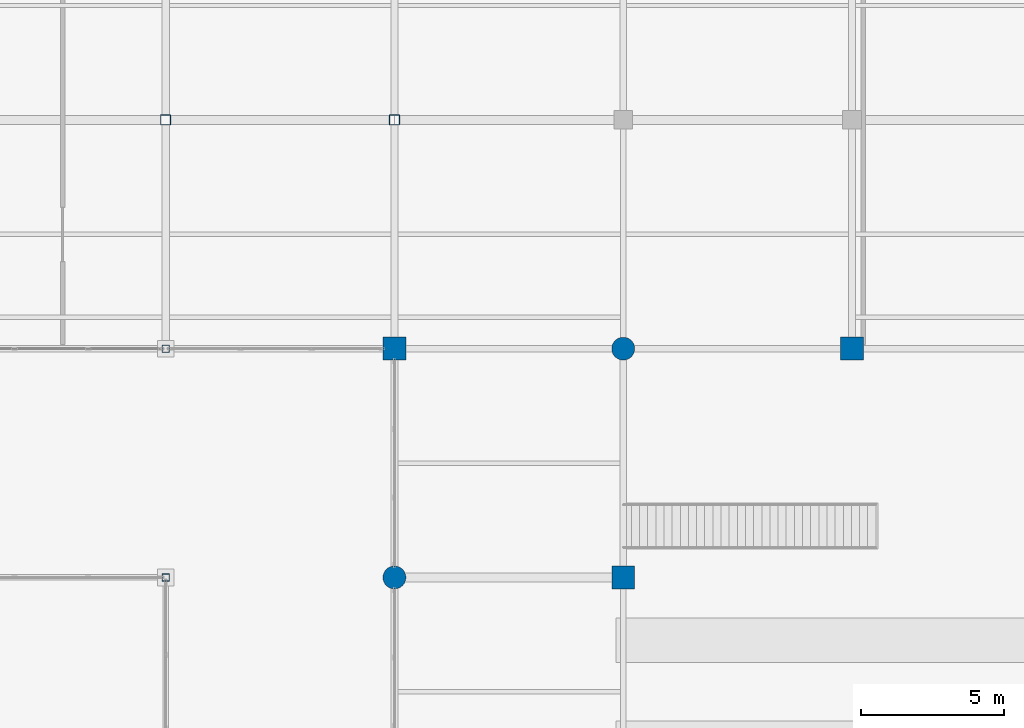
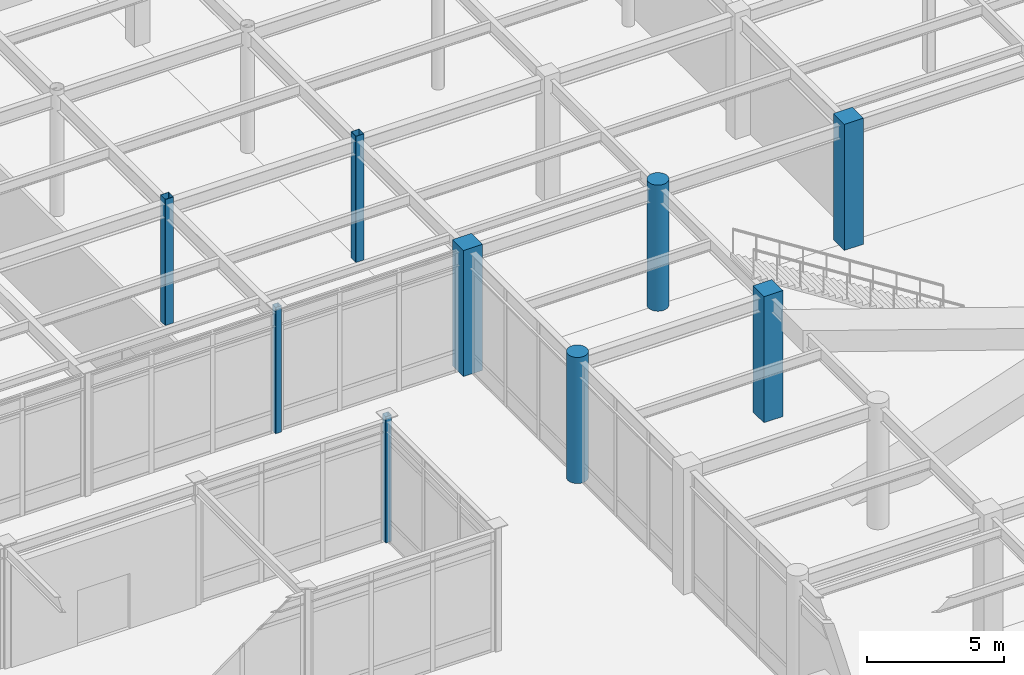
# One storey, part 17 of 128: 9 columns.
"""IFC4 building model written with IfcOpenShell, lengths in metres."""

from ifc_helpers import new_model, si_unit, direction, frame, origin, origin_2d, place, context, subcontext, project, spatial, rectangle, hollow_rectangle, circle, extrude, material, material_profile, profile_set, type_object, element, save


model = new_model("IFC4")

# Units and contexts
model_context = context("Model", 3, precision=1e-05, world=origin(), true_north=direction((0.0, 1.0)))
body_context = subcontext(model_context, "Body", "Model", "MODEL_VIEW")
ifc_project = project(units=[si_unit("LENGTHUNIT", "METRE"), si_unit("AREAUNIT", "SQUARE_METRE"), si_unit("VOLUMEUNIT", "CUBIC_METRE"), si_unit("PLANEANGLEUNIT", "RADIAN"), si_unit("MASSUNIT", "GRAM", prefix="KILO")], contexts=[model_context])

# Site, building, storey
site_placement = place(None, origin())
site = spatial("IfcSite", under=ifc_project, at=site_placement, CompositionType="ELEMENT")
building_placement = place(site_placement, origin())
building = spatial("IfcBuilding", under=site, at=building_placement, Name="Solmirada Galleria", CompositionType="ELEMENT")
storey_placement = place(building_placement, origin())
storey = spatial("IfcBuildingStorey", under=building, at=storey_placement, Name="L00", CompositionType="ELEMENT", Elevation=0.0)

# Columns
ifc_material_1 = material(Name="Concrete C40/50", Category="concrete")
ifc_material_profile_1 = material_profile(ifc_material_1, circle(Radius=0.39990234375, at=origin_2d()), Name="RCCOL800")
ifc_profile_set_1 = profile_set([ifc_material_profile_1], Name="Concrete C40/50")
column_type_1 = type_object("IfcColumnType", Name="COL-CIR800", PredefinedType="COLUMN", material=ifc_profile_set_1)
for number, where, z_axis, x_axis, name in (
    (1, (80.0, 64.0, 0.0), (0.0, 0.0, 1.0), (1.0, 0.0, 0.0), "Structural column L00-0406"),
    (2, (88.0, 72.0, 0.0), (0.0, 0.0, 1.0), (1.0, 0.0, 0.0), "Structural column L00-0534"),
):
    element("IfcColumn", number, at=place(storey_placement, frame(where, z_axis=z_axis, x_axis=x_axis)), inside=storey, type_object=column_type_1, Name=name, PredefinedType="COLUMN", context=body_context, shape_type="SweptSolid", body=[
        extrude(circle(Radius=0.39990234375, at=origin_2d()), origin(), (0.0, 0.0, 1.0), 5.60009765625),
    ])
ifc_material_2 = material(Name="Steel S355 / ASTM A500 Grade C", Category="steel")
ifc_material_profile_2 = material_profile(ifc_material_2, hollow_rectangle(XDim=0.25390625, YDim=0.25390625, WallThickness=0.0087890625, InnerFilletRadius=0.0087890625, OuterFilletRadius=0.017822265625, at=origin_2d()), Name="HSS10X10X3/8")
ifc_profile_set_2 = profile_set([ifc_material_profile_2], Name="Steel S355 / ASTM A500 Grade C")
column_type_2 = type_object("IfcColumnType", Name="COL-HSS10", PredefinedType="COLUMN", material=ifc_profile_set_2)
for number, where, z_axis, x_axis, name in (
    (3, (72.0, 64.0, 0.0), (0.0, 0.0, 1.0), (1.0, 0.0, 0.0), "Structural column L00-0303"),
    (4, (72.0, 72.0, 0.0), (0.0, 0.0, 1.0), (1.0, 0.0, 0.0), "Structural column L00-0305"),
):
    element("IfcColumn", number, at=place(storey_placement, frame(where, z_axis=z_axis, x_axis=x_axis)), inside=storey, type_object=column_type_2, Name=name, PredefinedType="COLUMN", context=body_context, shape_type="SweptSolid", body=[
        extrude(hollow_rectangle(XDim=0.25390625, YDim=0.25390625, WallThickness=0.0087890625, InnerFilletRadius=0.0087890625, OuterFilletRadius=0.017822265625, at=origin_2d()), origin(), (0.0, 0.0, 1.0), 5.60009765625),
    ])
ifc_material_profile_3 = material_profile(ifc_material_2, hollow_rectangle(XDim=0.35595703125, YDim=0.35595703125, WallThickness=0.01171875, InnerFilletRadius=0.01171875, OuterFilletRadius=0.023681640625, at=origin_2d()), Name="HSS14X14X1/2")
ifc_profile_set_3 = profile_set([ifc_material_profile_3], Name="Steel S355 / ASTM A500 Grade C")
column_type_3 = type_object("IfcColumnType", Name="COL-HSS14", PredefinedType="COLUMN", material=ifc_profile_set_3)
for number, where, z_axis, x_axis, name in (
    (5, (72.0, 80.0, 0.0), (0.0, 0.0, 1.0), (1.0, 0.0, 0.0), "Structural column L00-0307"),
    (6, (80.0, 80.0, 0.0), (0.0, 0.0, 1.0), (1.0, 0.0, 0.0), "Structural column L00-0424"),
):
    element("IfcColumn", number, at=place(storey_placement, frame(where, z_axis=z_axis, x_axis=x_axis)), inside=storey, type_object=column_type_3, Name=name, PredefinedType="COLUMN", context=body_context, shape_type="SweptSolid", body=[
        extrude(hollow_rectangle(XDim=0.35595703125, YDim=0.35595703125, WallThickness=0.01171875, InnerFilletRadius=0.01171875, OuterFilletRadius=0.023681640625, at=origin_2d()), origin(), (0.0, 0.0, 1.0), 5.60009765625),
    ])
ifc_material_profile_4 = material_profile(ifc_material_1, rectangle(XDim=0.800048828125, YDim=0.800048828125, at=origin_2d()), Name="RC800X800")
ifc_profile_set_4 = profile_set([ifc_material_profile_4], Name="Concrete C40/50")
column_type_4 = type_object("IfcColumnType", Name="COL-RC800", PredefinedType="COLUMN", material=ifc_profile_set_4)
for number, where, z_axis, x_axis, name in (
    (7, (80.0, 72.0, 0.0), (0.0, 0.0, 1.0), (1.0, 0.0, 0.0), "Structural column L00-0415"),
    (8, (88.0, 64.0, 0.0), (0.0, 0.0, 1.0), (1.0, 0.0, 0.0), "Structural column L00-0527"),
    (9, (96.0, 72.0, 0.0), (0.0, 0.0, 1.0), (1.0, 0.0, 0.0), "Structural column L00-0642"),
):
    element("IfcColumn", number, at=place(storey_placement, frame(where, z_axis=z_axis, x_axis=x_axis)), inside=storey, type_object=column_type_4, Name=name, PredefinedType="COLUMN", context=body_context, shape_type="SweptSolid", body=[
        extrude(rectangle(XDim=0.800048828125, YDim=0.800048828125, at=origin_2d()), origin(), (0.0, 0.0, 1.0), 5.60009765625),
    ])

save(model, "model.ifc")
